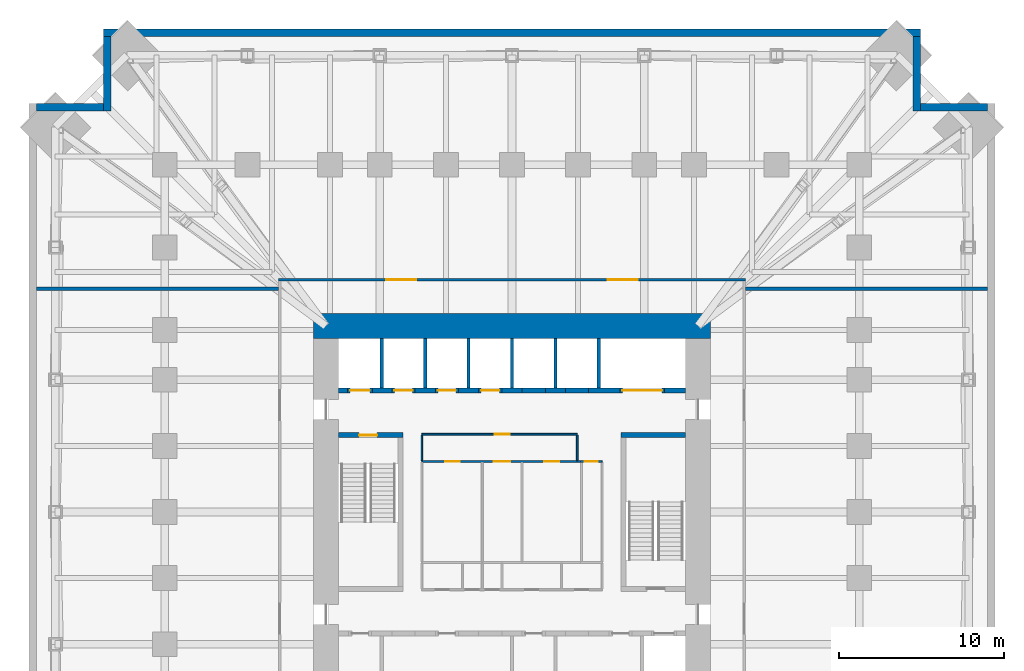
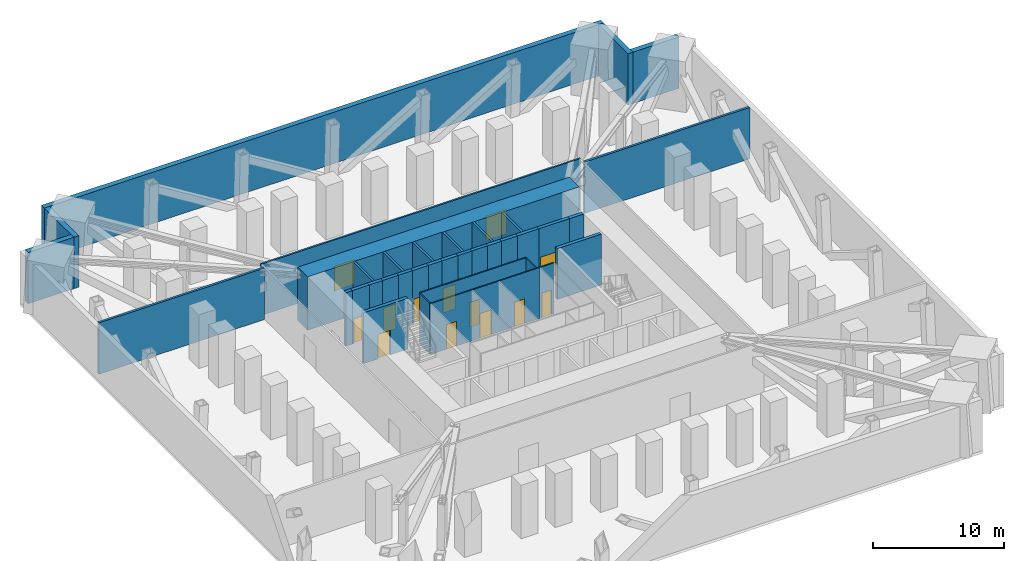
# One storey, part 7 of 9: 37 walls, 13 doors, 13 openings.
"""IFC4 building model written with IfcOpenShell, lengths in metres."""

from ifc_helpers import new_model, si_unit, direction, frame, frame_2d, origin, place, context, subcontext, project, spatial, rectangle, extrude, material, layer, layer_set, type_object, element, fill, save


model = new_model("IFC4")

# Units and contexts
model_context = context("Model", 3, precision=1e-05, world=origin(), true_north=direction((0.0, 1.0)))
body_context = subcontext(model_context, "Body", "Model", "MODEL_VIEW")
ifc_project = project(units=[si_unit("LENGTHUNIT", "METRE"), si_unit("AREAUNIT", "SQUARE_METRE"), si_unit("VOLUMEUNIT", "CUBIC_METRE"), si_unit("PLANEANGLEUNIT", "RADIAN"), si_unit("MASSUNIT", "GRAM", prefix="KILO")], contexts=[model_context])

# Site, building, storey
site_placement = place(None, origin())
site = spatial("IfcSite", under=ifc_project, at=site_placement, CompositionType="ELEMENT")
building_placement = place(site_placement, origin())
building = spatial("IfcBuilding", under=site, at=building_placement, Name="Peilmerk Tower", CompositionType="ELEMENT")
storey_placement = place(building_placement, frame((0.0, 0.0, 81.0)))
storey = spatial("IfcBuildingStorey", under=building, at=storey_placement, Name="L15", CompositionType="ELEMENT", Elevation=81.0)

# Walls
ifc_material_1 = material(Name="Precast concrete C45/55, board-marked finish", Category="concrete")
ifc_layer_1 = layer(ifc_material_1, 0.449951171875)
ifc_layer_set_1 = layer_set([ifc_layer_1], Name="Precast concrete C45/55, board-marked finish")
wall_type_1 = type_object("IfcWallType", Name="EW1 450 precast concrete facade wall, board-marked", PredefinedType="SOLIDWALL", material=ifc_layer_set_1)
wall_1_placement = place(storey_placement, frame((24.699951171875, 28.97509765625, 0.0), z_axis=(0.0, 0.0, 1.0), x_axis=(-1.0, 0.0, 0.0)))
element("IfcWall", 1, at=wall_1_placement, inside=storey, type_object=wall_type_1, Name="Facade wall N L15", PredefinedType="SOLIDWALL", context=body_context, shape_type="SweptSolid", body=[
    extrude(rectangle(XDim=49.39990234375, YDim=0.449951171875, at=frame_2d((24.699951171875, 0.0))), origin(), (0.0, 0.0, 1.0), 4.800048828125),
])
wall_2_placement = place(storey_placement, frame((24.47509765625, 24.25, 0.0), z_axis=(0.0, 0.0, 1.0), x_axis=(0.0, 1.0, 0.0)))
element("IfcWall", 2, at=wall_2_placement, inside=storey, type_object=wall_type_1, Name="Facade wall NEA L15", PredefinedType="SOLIDWALL", context=body_context, shape_type="SweptSolid", body=[
    extrude(rectangle(XDim=4.5, YDim=0.449951171875, at=frame_2d((2.25, 0.0))), origin(), (0.0, 0.0, 1.0), 4.800048828125),
])
wall_3_placement = place(storey_placement, frame((24.699951171875, 24.47509765625, 0.0), z_axis=(0.0, 0.0, 1.0), x_axis=(1.0, 0.0, 0.0)))
element("IfcWall", 3, at=wall_3_placement, inside=storey, type_object=wall_type_1, Name="Facade wall NEB L15", PredefinedType="SOLIDWALL", context=body_context, shape_type="SweptSolid", body=[
    extrude(rectangle(XDim=4.050048828125, YDim=0.449951171875, at=frame_2d((2.02490234375, 0.0))), origin(), (0.0, 0.0, 1.0), 4.800048828125),
])
wall_4_placement = place(storey_placement, frame((-24.47509765625, 24.25, 0.0), z_axis=(0.0, 0.0, 1.0), x_axis=(0.0, 1.0, 0.0)))
element("IfcWall", 4, at=wall_4_placement, inside=storey, type_object=wall_type_1, Name="Facade wall NWA L15", PredefinedType="SOLIDWALL", context=body_context, shape_type="SweptSolid", body=[
    extrude(rectangle(XDim=4.5, YDim=0.449951171875, at=frame_2d((2.25, 0.0))), origin(), (0.0, 0.0, 1.0), 4.800048828125),
])
wall_5_placement = place(storey_placement, frame((-24.699951171875, 24.47509765625, 0.0), z_axis=(0.0, 0.0, 1.0), x_axis=(-1.0, 0.0, 0.0)))
element("IfcWall", 5, at=wall_5_placement, inside=storey, type_object=wall_type_1, Name="Facade wall NWB L15", PredefinedType="SOLIDWALL", context=body_context, shape_type="SweptSolid", body=[
    extrude(rectangle(XDim=4.050048828125, YDim=0.449951171875, at=frame_2d((2.02490234375, 0.0))), origin(), (0.0, 0.0, 1.0), 4.800048828125),
])

# Wall, openings, doors
ifc_material_2 = material(Name="Calcium silicate block", Category="masonry")
ifc_layer_2 = layer(ifc_material_2, 0.14990234375)
ifc_layer_set_2 = layer_set([ifc_layer_2], Name="Calcium silicate block")
wall_type_2 = type_object("IfcWallType", Name="IW1 150 corridor partition, EI 60", PredefinedType="PARTITIONING", material=ifc_layer_set_2)
wall_6_placement = place(storey_placement, frame((-14.125, 14.050048828125, 0.0), z_axis=(0.0, 0.0, 1.0), x_axis=(1.0, 0.0, 0.0)))
wall_6 = element("IfcWall", 6, at=wall_6_placement, inside=storey, type_object=wall_type_2, Name="Corridor wall N L15", PredefinedType="PARTITIONING", context=body_context, shape_type="SweptSolid", body=[
    extrude(rectangle(XDim=28.25, YDim=0.14990234375, at=frame_2d((14.125, 0.0))), origin(), (0.0, 0.0, 1.0), 4.800048828125),
])
opening_1_placement = place(wall_6_placement, frame((6.52490234375, 0.0, 0.0)))
opening_1 = element("IfcOpeningElement", 7, at=opening_1_placement, cuts=wall_6, Name="Opening D2", PredefinedType="OPENING", context=body_context, shape_type="SweptSolid", body=[
    extrude(rectangle(XDim=1.800048828125, YDim=2.300048828125, at=frame_2d((0.89990234375, 1.14990234375))), frame((0.0, 0.0849609375, 0.0), z_axis=(0.0, -1.0, 0.0), x_axis=(1.0, 0.0, 0.0)), (0.0, 0.0, 1.0), 0.169921875),
])
opening_2_placement = place(wall_6_placement, frame((19.925048828125, 0.0, 0.0)))
opening_2 = element("IfcOpeningElement", 8, at=opening_2_placement, cuts=wall_6, Name="Opening D2", PredefinedType="OPENING", context=body_context, shape_type="SweptSolid", body=[
    extrude(rectangle(XDim=1.800048828125, YDim=2.300048828125, at=frame_2d((0.89990234375, 1.14990234375))), frame((0.0, 0.0849609375, 0.0), z_axis=(0.0, -1.0, 0.0), x_axis=(1.0, 0.0, 0.0)), (0.0, 0.0, 1.0), 0.169921875),
])
ifc_material_3 = material(Name="Steel door in steel frame", Category="steel")
door_type_1 = type_object("IfcDoorType", Name="D2 1800x2300 double door, EI2 60", OperationType="DOUBLE_DOOR_DOUBLE_SWING", PredefinedType="DOOR", material=ifc_material_3)
door_1_placement = place(opening_1_placement, origin())
door_1 = element("IfcDoor", 9, at=door_1_placement, inside=storey, type_object=door_type_1, Name="Door Chiller plant room L15", OperationType="DOUBLE_DOOR_DOUBLE_SWING", OverallHeight=2.300048828125, OverallWidth=1.800048828125, PredefinedType="DOOR", context=body_context, shape_type="SweptSolid", body=[
    extrude(rectangle(XDim=1.800048828125, YDim=2.300048828125, at=frame_2d((0.89990234375, 1.14990234375))), frame((0.0, 0.02490234375, 0.0), z_axis=(0.0, -1.0, 0.0), x_axis=(1.0, 0.0, 0.0)), (0.0, 0.0, 1.0), 0.050048828125),
])
fill(opening_1, door_1)
door_2_placement = place(opening_2_placement, origin())
door_2 = element("IfcDoor", 10, at=door_2_placement, inside=storey, type_object=door_type_1, Name="Door Chiller plant room L15", OperationType="DOUBLE_DOOR_DOUBLE_SWING", OverallHeight=2.300048828125, OverallWidth=1.800048828125, PredefinedType="DOOR", context=body_context, shape_type="SweptSolid", body=[
    extrude(rectangle(XDim=1.800048828125, YDim=2.300048828125, at=frame_2d((0.89990234375, 1.14990234375))), frame((0.0, 0.02490234375, 0.0), z_axis=(0.0, -1.0, 0.0), x_axis=(1.0, 0.0, 0.0)), (0.0, 0.0, 1.0), 0.050048828125),
])
fill(opening_2, door_2)

# Walls
ifc_layer_3 = layer(ifc_material_2, 0.199951171875)
ifc_layer_set_3 = layer_set([ifc_layer_3], Name="Calcium silicate block")
wall_type_3 = type_object("IfcWallType", Name="IW2 200 room separating wall, EI 120", PredefinedType="PARTITIONING", material=ifc_layer_set_3)
for number, where, z_axis, x_axis, name in (
    (11, (14.125, 13.5, 0.0), (0.0, 0.0, 1.0), (1.0, 0.0, 0.0), "Room separating wall NE L15"),
    (12, (-28.75, 13.5, 0.0), (0.0, 0.0, 1.0), (1.0, 0.0, 0.0), "Room separating wall NW L15"),
):
    element("IfcWall", number, at=place(storey_placement, frame(where, z_axis=z_axis, x_axis=x_axis)), inside=storey, type_object=wall_type_3, Name=name, PredefinedType="PARTITIONING", context=body_context, shape_type="SweptSolid", body=[
        extrude(rectangle(XDim=14.625, YDim=0.199951171875, at=frame_2d((7.3125, 0.0))), origin(), (0.0, 0.0, 1.0), 4.800048828125),
    ])

# Wall, opening, door
ifc_material_4 = material(Name="Concrete C35/45", Category="concrete")
ifc_layer_4 = layer(ifc_material_4, 0.300048828125)
ifc_layer_set_4 = layer_set([ifc_layer_4], Name="Concrete C35/45")
wall_type_4 = type_object("IfcWallType", Name="IW3 300 concrete stair enclosure wall, EI 120", PredefinedType="SOLIDWALL", material=ifc_layer_set_4)
wall_7_placement = place(storey_placement, frame((-10.5, 4.64990234375, 0.0), z_axis=(0.0, 0.0, 1.0), x_axis=(1.0, 0.0, 0.0)))
wall_7 = element("IfcWall", 13, at=wall_7_placement, inside=storey, type_object=wall_type_4, Name="Stair 1 enclosure L15", PredefinedType="SOLIDWALL", context=body_context, shape_type="SweptSolid", body=[
    extrude(rectangle(XDim=3.89990234375, YDim=0.300048828125, at=frame_2d((1.949951171875, 0.0))), origin(), (0.0, 0.0, 1.0), 4.75),
])
opening_3_placement = place(wall_7_placement, frame((1.25, 0.0, 0.0)))
opening_3 = element("IfcOpeningElement", 14, at=opening_3_placement, cuts=wall_7, Name="Opening D4", PredefinedType="OPENING", context=body_context, shape_type="SweptSolid", body=[
    extrude(rectangle(XDim=1.10009765625, YDim=2.300048828125, at=frame_2d((0.550048828125, 1.14990234375))), frame((0.0, 0.159912109375, 0.0), z_axis=(0.0, -1.0, 0.0), x_axis=(1.0, 0.0, 0.0)), (0.0, 0.0, 1.0), 0.320068359375),
])
door_type_2 = type_object("IfcDoorType", Name="D4 1100x2300 stair door, EI2 60", OperationType="SINGLE_SWING_RIGHT", PredefinedType="DOOR", material=ifc_material_3)
door_3_placement = place(opening_3_placement, frame((1.10009765625, 0.0, 0.0), z_axis=(0.0, 0.0, 1.0), x_axis=(-1.0, 0.0, 0.0)))
door_3 = element("IfcDoor", 15, at=door_3_placement, inside=storey, type_object=door_type_2, Name="Stair 1 door L15", OperationType="SINGLE_SWING_RIGHT", OverallHeight=2.300048828125, OverallWidth=1.10009765625, PredefinedType="DOOR", context=body_context, shape_type="SweptSolid", body=[
    extrude(rectangle(XDim=1.10009765625, YDim=2.300048828125, at=frame_2d((0.550048828125, 1.14990234375))), frame((0.0, 0.02490234375, 0.0), z_axis=(0.0, -1.0, 0.0), x_axis=(1.0, 0.0, 0.0)), (0.0, 0.0, 1.0), 0.050048828125),
])
fill(opening_3, door_3)

# Wall
wall_8_placement = place(storey_placement, frame((6.60009765625, 4.64990234375, 0.0), z_axis=(0.0, 0.0, 1.0), x_axis=(1.0, 0.0, 0.0)))
element("IfcWall", 16, at=wall_8_placement, inside=storey, type_object=wall_type_4, Name="Stair 2 enclosure L15", PredefinedType="SOLIDWALL", context=body_context, shape_type="SweptSolid", body=[
    extrude(rectangle(XDim=3.89990234375, YDim=0.300048828125, at=frame_2d((1.949951171875, 0.0))), origin(), (0.0, 0.0, 1.0), 4.75),
])

# Wall, openings, doors
ifc_material_5 = material(Name="Plasterboard on steel studs", Category="steel")
ifc_layer_5 = layer(ifc_material_5, 0.10009765625)
ifc_layer_set_5 = layer_set([ifc_layer_5], Name="Plasterboard on steel studs")
wall_type_5 = type_object("IfcWallType", Name="IW4 100 WC partition", PredefinedType="PARTITIONING", material=ifc_layer_set_5)
wall_9_placement = place(storey_placement, frame((-5.449951171875, 3.050048828125, 0.0), z_axis=(0.0, 0.0, 1.0), x_axis=(1.0, 0.0, 0.0)))
wall_9 = element("IfcWall", 17, at=wall_9_placement, inside=storey, type_object=wall_type_5, Name="WC wall L15", PredefinedType="PARTITIONING", context=body_context, shape_type="SweptSolid", body=[
    extrude(rectangle(XDim=9.599853515625, YDim=0.10009765625, at=frame_2d((4.7998046875, 0.0))), origin(), (0.0, 0.0, 1.0), 4.75),
])
opening_4_placement = place(wall_9_placement, frame((1.39990234375, 0.0, 0.0)))
opening_4 = element("IfcOpeningElement", 18, at=opening_4_placement, cuts=wall_9, Name="Opening D5", PredefinedType="OPENING", context=body_context, shape_type="SweptSolid", body=[
    extrude(rectangle(XDim=0.89990234375, YDim=2.300048828125, at=frame_2d((0.449951171875, 1.14990234375))), frame((0.0, 0.06005859375, 0.0), z_axis=(0.0, -1.0, 0.0), x_axis=(1.0, 0.0, 0.0)), (0.0, 0.0, 1.0), 0.1201171875),
])
opening_5_placement = place(wall_9_placement, frame((4.35009765625, 0.0, 0.0)))
opening_5 = element("IfcOpeningElement", 19, at=opening_5_placement, cuts=wall_9, Name="Opening D6", PredefinedType="OPENING", context=body_context, shape_type="SweptSolid", body=[
    extrude(rectangle(XDim=1.0, YDim=2.300048828125, at=frame_2d((0.5, 1.14990234375))), frame((0.0, 0.06005859375, 0.0), z_axis=(0.0, -1.0, 0.0), x_axis=(1.0, 0.0, 0.0)), (0.0, 0.0, 1.0), 0.1201171875),
])
opening_6_placement = place(wall_9_placement, frame((7.39990234375, 0.0, 0.0)))
opening_6 = element("IfcOpeningElement", 20, at=opening_6_placement, cuts=wall_9, Name="Opening D5", PredefinedType="OPENING", context=body_context, shape_type="SweptSolid", body=[
    extrude(rectangle(XDim=0.89990234375, YDim=2.300048828125, at=frame_2d((0.449951171875, 1.14990234375))), frame((0.0, 0.06005859375, 0.0), z_axis=(0.0, -1.0, 0.0), x_axis=(1.0, 0.0, 0.0)), (0.0, 0.0, 1.0), 0.1201171875),
])
ifc_material_6 = material(Name="Timber door in steel frame", Category="steel")
door_type_3 = type_object("IfcDoorType", Name="D5 900x2300 WC door", OperationType="SINGLE_SWING_LEFT", PredefinedType="DOOR", material=ifc_material_6)
door_4_placement = place(opening_4_placement, frame((0.89990234375, 0.0, 0.0), z_axis=(0.0, 0.0, 1.0), x_axis=(-1.0, 0.0, 0.0)))
door_4 = element("IfcDoor", 21, at=door_4_placement, inside=storey, type_object=door_type_3, Name="Female toilets door L15", OperationType="SINGLE_SWING_LEFT", OverallHeight=2.300048828125, OverallWidth=0.89990234375, PredefinedType="DOOR", context=body_context, shape_type="SweptSolid", body=[
    extrude(rectangle(XDim=0.89990234375, YDim=2.300048828125, at=frame_2d((0.449951171875, 1.14990234375))), frame((0.0, 0.02490234375, 0.0), z_axis=(0.0, -1.0, 0.0), x_axis=(1.0, 0.0, 0.0)), (0.0, 0.0, 1.0), 0.050048828125),
])
fill(opening_4, door_4)
door_5_placement = place(opening_6_placement, frame((0.89990234375, 0.0, 0.0), z_axis=(0.0, 0.0, 1.0), x_axis=(-1.0, 0.0, 0.0)))
door_5 = element("IfcDoor", 22, at=door_5_placement, inside=storey, type_object=door_type_3, Name="Male toilets door L15", OperationType="SINGLE_SWING_LEFT", OverallHeight=2.300048828125, OverallWidth=0.89990234375, PredefinedType="DOOR", context=body_context, shape_type="SweptSolid", body=[
    extrude(rectangle(XDim=0.89990234375, YDim=2.300048828125, at=frame_2d((0.449951171875, 1.14990234375))), frame((0.0, 0.02490234375, 0.0), z_axis=(0.0, -1.0, 0.0), x_axis=(1.0, 0.0, 0.0)), (0.0, 0.0, 1.0), 0.050048828125),
])
fill(opening_6, door_5)
door_type_4 = type_object("IfcDoorType", Name="D6 1000x2300 accessible WC door", OperationType="SLIDING_TO_LEFT", PredefinedType="DOOR", material=ifc_material_6)
door_6_placement = place(opening_5_placement, frame((1.0, 0.0, 0.0), z_axis=(0.0, 0.0, 1.0), x_axis=(-1.0, 0.0, 0.0)))
door_6 = element("IfcDoor", 23, at=door_6_placement, inside=storey, type_object=door_type_4, Name="Accessible WC door L15", OperationType="SLIDING_TO_LEFT", OverallHeight=2.300048828125, OverallWidth=1.0, PredefinedType="DOOR", context=body_context, shape_type="SweptSolid", body=[
    extrude(rectangle(XDim=1.0, YDim=2.300048828125, at=frame_2d((0.5, 1.14990234375))), frame((0.0, 0.02490234375, 0.0), z_axis=(0.0, -1.0, 0.0), x_axis=(1.0, 0.0, 0.0)), (0.0, 0.0, 1.0), 0.050048828125),
])
fill(opening_5, door_6)

# Wall, opening, door
ifc_material_7 = material(Name="Calcium silicate board on steel studs", Category="steel")
ifc_layer_6 = layer(ifc_material_7, 0.10009765625)
ifc_layer_set_6 = layer_set([ifc_layer_6], Name="Calcium silicate board on steel studs")
wall_type_6 = type_object("IfcWallType", Name="IW5 100 riser enclosure wall, EI 60", PredefinedType="PARTITIONING", material=ifc_layer_set_6)
wall_10_placement = place(storey_placement, frame((4.14990234375, 3.050048828125, 0.0), z_axis=(0.0, 0.0, 1.0), x_axis=(1.0, 0.0, 0.0)))
wall_10 = element("IfcWall", 24, at=wall_10_placement, inside=storey, type_object=wall_type_6, Name="Riser wall L15", PredefinedType="PARTITIONING", context=body_context, shape_type="SweptSolid", body=[
    extrude(rectangle(XDim=1.300048828125, YDim=0.10009765625, at=frame_2d((0.64990234375, 0.0))), origin(), (0.0, 0.0, 1.0), 4.75),
])
opening_7_placement = place(wall_10_placement, frame((0.25, 0.0, 0.0)))
opening_7 = element("IfcOpeningElement", 25, at=opening_7_placement, cuts=wall_10, Name="Opening D7", PredefinedType="OPENING", context=body_context, shape_type="SweptSolid", body=[
    extrude(rectangle(XDim=0.800048828125, YDim=2.300048828125, at=frame_2d((0.39990234375, 1.14990234375))), frame((0.0, 0.06005859375, 0.0), z_axis=(0.0, -1.0, 0.0), x_axis=(1.0, 0.0, 0.0)), (0.0, 0.0, 1.0), 0.1201171875),
])
door_type_5 = type_object("IfcDoorType", Name="D7 800x2300 riser access door, EI2 60", OperationType="SINGLE_SWING_RIGHT", PredefinedType="DOOR", material=ifc_material_3)
door_7_placement = place(opening_7_placement, frame((0.800048828125, 0.0, 0.0), z_axis=(0.0, 0.0, 1.0), x_axis=(-1.0, 0.0, 0.0)))
door_7 = element("IfcDoor", 26, at=door_7_placement, inside=storey, type_object=door_type_5, Name="Plumbing riser door L15", OperationType="SINGLE_SWING_RIGHT", OverallHeight=2.300048828125, OverallWidth=0.800048828125, PredefinedType="DOOR", context=body_context, shape_type="SweptSolid", body=[
    extrude(rectangle(XDim=0.800048828125, YDim=2.300048828125, at=frame_2d((0.39990234375, 1.14990234375))), frame((0.0, 0.02490234375, 0.0), z_axis=(0.0, -1.0, 0.0), x_axis=(1.0, 0.0, 0.0)), (0.0, 0.0, 1.0), 0.050048828125),
])
fill(opening_7, door_7)

ifc_material_8 = material(Name="Fire-resisting plasterboard on steel studs", Category="steel")
ifc_layer_7 = layer(ifc_material_8, 0.10009765625)
ifc_layer_set_7 = layer_set([ifc_layer_7], Name="Fire-resisting plasterboard on steel studs")
wall_type_7 = type_object("IfcWallType", Name="IW9 100 WC lobby wall, EI 30", PredefinedType="PARTITIONING", material=ifc_layer_set_7)
wall_11_placement = place(storey_placement, frame((-5.449951171875, 4.699951171875, 0.0), z_axis=(0.0, 0.0, 1.0), x_axis=(1.0, 0.0, 0.0)))
wall_11 = element("IfcWall", 27, at=wall_11_placement, inside=storey, type_object=wall_type_7, Name="WC lobby wall L15", PredefinedType="PARTITIONING", context=body_context, shape_type="SweptSolid", body=[
    extrude(rectangle(XDim=9.39990234375, YDim=0.10009765625, at=frame_2d((4.699951171875, 0.0))), origin(), (0.0, 0.0, 1.0), 4.75),
])
opening_8_placement = place(wall_11_placement, frame((4.39990234375, 0.0, 0.0)))
opening_8 = element("IfcOpeningElement", 28, at=opening_8_placement, cuts=wall_11, Name="Opening D11", PredefinedType="OPENING", context=body_context, shape_type="SweptSolid", body=[
    extrude(rectangle(XDim=0.89990234375, YDim=2.300048828125, at=frame_2d((0.449951171875, 1.14990234375))), frame((0.0, 0.06005859375, 0.0), z_axis=(0.0, -1.0, 0.0), x_axis=(1.0, 0.0, 0.0)), (0.0, 0.0, 1.0), 0.1201171875),
])
door_type_6 = type_object("IfcDoorType", Name="D11 900x2300 WC lobby door, EI2 30", OperationType="SINGLE_SWING_LEFT", PredefinedType="DOOR", material=ifc_material_6)
door_8_placement = place(opening_8_placement, frame((0.89990234375, 0.0, 0.0), z_axis=(0.0, 0.0, 1.0), x_axis=(-1.0, 0.0, 0.0)))
door_8 = element("IfcDoor", 29, at=door_8_placement, inside=storey, type_object=door_type_6, Name="WC lobby door L15", OperationType="SINGLE_SWING_LEFT", OverallHeight=2.300048828125, OverallWidth=0.89990234375, PredefinedType="DOOR", context=body_context, shape_type="SweptSolid", body=[
    extrude(rectangle(XDim=0.89990234375, YDim=2.300048828125, at=frame_2d((0.449951171875, 1.14990234375))), frame((0.0, 0.02490234375, 0.0), z_axis=(0.0, -1.0, 0.0), x_axis=(1.0, 0.0, 0.0)), (0.0, 0.0, 1.0), 0.050048828125),
])
fill(opening_8, door_8)

# Walls
for number, where, z_axis, x_axis, name in (
    (30, (-5.449951171875, 3.10009765625, 0.0), (0.0, 0.0, 1.0), (0.0, 1.0, 0.0), "WC lobby wall L15"),
    (31, (3.949951171875, 3.10009765625, 0.0), (0.0, 0.0, 1.0), (0.0, 1.0, 0.0), "WC lobby wall L15"),
):
    element("IfcWall", number, at=place(storey_placement, frame(where, z_axis=z_axis, x_axis=x_axis)), inside=storey, type_object=wall_type_7, Name=name, PredefinedType="PARTITIONING", context=body_context, shape_type="SweptSolid", body=[
        extrude(rectangle(XDim=1.5498046875, YDim=0.10009765625, at=frame_2d((0.77490234375, 0.0))), origin(), (0.0, 0.0, 1.0), 4.75),
    ])
ifc_layer_8 = layer(ifc_material_2, 0.199951171875)
ifc_layer_set_8 = layer_set([ifc_layer_8], Name="Calcium silicate block")
wall_type_8 = type_object("IfcWallType", Name="SH1 200 shaft dividing wall, EI 120", PredefinedType="PARTITIONING", material=ifc_layer_set_8)
for number, where, z_axis, x_axis, name in (
    (32, (-7.875, 7.5, 0.0), (0.0, 0.0, 1.0), (0.0, 1.0, 0.0), "Shaft wall N FL1 L15"),
    (33, (-5.25, 7.5, 0.0), (0.0, 0.0, 1.0), (0.0, 1.0, 0.0), "Shaft wall N A1 L15"),
    (34, (-2.625, 7.5, 0.0), (0.0, 0.0, 1.0), (0.0, 1.0, 0.0), "Shaft wall N A2 L15"),
    (35, (0.0, 7.5, 0.0), (0.0, 0.0, 1.0), (0.0, 1.0, 0.0), "Shaft wall N A3 L15"),
    (36, (2.625, 7.5, 0.0), (0.0, 0.0, 1.0), (0.0, 1.0, 0.0), "Shaft wall N S1 L15"),
    (37, (5.25, 7.5, 0.0), (0.0, 0.0, 1.0), (0.0, 1.0, 0.0), "Shaft wall N S2 L15"),
):
    element("IfcWall", number, at=place(storey_placement, frame(where, z_axis=z_axis, x_axis=x_axis)), inside=storey, type_object=wall_type_8, Name=name, PredefinedType="PARTITIONING", context=body_context, shape_type="SweptSolid", body=[
        extrude(rectangle(XDim=3.0, YDim=0.199951171875, at=frame_2d((1.5, 0.0))), origin(), (0.0, 0.0, 1.0), 5.0),
    ])

# Wall, opening, door
ifc_layer_9 = layer(ifc_material_2, 0.300048828125)
ifc_layer_set_9 = layer_set([ifc_layer_9], Name="Calcium silicate block")
wall_type_9 = type_object("IfcWallType", Name="SH2 300 lift landing door panel, EI 120", PredefinedType="PARTITIONING", material=ifc_layer_set_9)
wall_12_placement = place(storey_placement, frame((-9.9375, 7.35009765625, 0.0), z_axis=(0.0, 0.0, 1.0), x_axis=(1.0, 0.0, 0.0)))
wall_12 = element("IfcWall", 38, at=wall_12_placement, inside=storey, type_object=wall_type_9, Name="Lift door panel N FL1 L15", PredefinedType="PARTITIONING", context=body_context, shape_type="SweptSolid", body=[
    extrude(rectangle(XDim=1.5, YDim=0.300048828125, at=frame_2d((0.75, 0.0))), origin(), (0.0, 0.0, 1.0), 5.0),
])
opening_9_placement = place(wall_12_placement, frame((0.14990234375, 0.0, 0.0)))
opening_9 = element("IfcOpeningElement", 39, at=opening_9_placement, cuts=wall_12, Name="Opening LD2", PredefinedType="OPENING", context=body_context, shape_type="SweptSolid", body=[
    extrude(rectangle(XDim=1.199951171875, YDim=2.300048828125, at=frame_2d((0.60009765625, 1.14990234375))), frame((0.0, 0.159912109375, 0.0), z_axis=(0.0, -1.0, 0.0), x_axis=(1.0, 0.0, 0.0)), (0.0, 0.0, 1.0), 0.320068359375),
])
ifc_material_9 = material(Name="Stainless steel landing door", Category="steel")
door_type_7 = type_object("IfcDoorType", Name="LD2 1200x2300 lift landing door, sliding, EI2 60", OperationType="SLIDING_TO_LEFT", PredefinedType="DOOR", material=ifc_material_9)
door_9_placement = place(opening_9_placement, frame((1.199951171875, 0.0, 0.0), z_axis=(0.0, 0.0, 1.0), x_axis=(-1.0, 0.0, 0.0)))
door_9 = element("IfcDoor", 40, at=door_9_placement, inside=storey, type_object=door_type_7, Name="Lift landing door FL1 L15", OperationType="SLIDING_TO_LEFT", OverallHeight=2.300048828125, OverallWidth=1.199951171875, PredefinedType="DOOR", context=body_context, shape_type="SweptSolid", body=[
    extrude(rectangle(XDim=1.199951171875, YDim=2.300048828125, at=frame_2d((0.60009765625, 1.14990234375))), frame((0.0, 0.02490234375, 0.0), z_axis=(0.0, -1.0, 0.0), x_axis=(1.0, 0.0, 0.0)), (0.0, 0.0, 1.0), 0.050048828125),
])
fill(opening_9, door_9)

wall_13_placement = place(storey_placement, frame((-7.262451171875, 7.35009765625, 0.0), z_axis=(0.0, 0.0, 1.0), x_axis=(1.0, 0.0, 0.0)))
wall_13 = element("IfcWall", 41, at=wall_13_placement, inside=storey, type_object=wall_type_9, Name="Lift door panel N A1 L15", PredefinedType="PARTITIONING", context=body_context, shape_type="SweptSolid", body=[
    extrude(rectangle(XDim=1.39990234375, YDim=0.300048828125, at=frame_2d((0.699951171875, 0.0))), origin(), (0.0, 0.0, 1.0), 5.0),
])
opening_10_placement = place(wall_13_placement, frame((0.14990234375, 0.0, 0.0)))
opening_10 = element("IfcOpeningElement", 42, at=opening_10_placement, cuts=wall_13, Name="Opening LD1", PredefinedType="OPENING", context=body_context, shape_type="SweptSolid", body=[
    extrude(rectangle(XDim=1.10009765625, YDim=2.300048828125, at=frame_2d((0.550048828125, 1.14990234375))), frame((0.0, 0.159912109375, 0.0), z_axis=(0.0, -1.0, 0.0), x_axis=(1.0, 0.0, 0.0)), (0.0, 0.0, 1.0), 0.320068359375),
])
door_type_8 = type_object("IfcDoorType", Name="LD1 1100x2300 lift landing door, sliding, EI2 60", OperationType="SLIDING_TO_LEFT", PredefinedType="DOOR", material=ifc_material_9)
door_10_placement = place(opening_10_placement, frame((1.10009765625, 0.0, 0.0), z_axis=(0.0, 0.0, 1.0), x_axis=(-1.0, 0.0, 0.0)))
door_10 = element("IfcDoor", 43, at=door_10_placement, inside=storey, type_object=door_type_8, Name="Lift landing door A1 L15", OperationType="SLIDING_TO_LEFT", OverallHeight=2.300048828125, OverallWidth=1.10009765625, PredefinedType="DOOR", context=body_context, shape_type="SweptSolid", body=[
    extrude(rectangle(XDim=1.10009765625, YDim=2.300048828125, at=frame_2d((0.550048828125, 1.14990234375))), frame((0.0, 0.02490234375, 0.0), z_axis=(0.0, -1.0, 0.0), x_axis=(1.0, 0.0, 0.0)), (0.0, 0.0, 1.0), 0.050048828125),
])
fill(opening_10, door_10)

wall_14_placement = place(storey_placement, frame((-4.637451171875, 7.35009765625, 0.0), z_axis=(0.0, 0.0, 1.0), x_axis=(1.0, 0.0, 0.0)))
wall_14 = element("IfcWall", 44, at=wall_14_placement, inside=storey, type_object=wall_type_9, Name="Lift door panel N A2 L15", PredefinedType="PARTITIONING", context=body_context, shape_type="SweptSolid", body=[
    extrude(rectangle(XDim=1.39990234375, YDim=0.300048828125, at=frame_2d((0.699951171875, 0.0))), origin(), (0.0, 0.0, 1.0), 5.0),
])
opening_11_placement = place(wall_14_placement, frame((0.14990234375, 0.0, 0.0)))
opening_11 = element("IfcOpeningElement", 45, at=opening_11_placement, cuts=wall_14, Name="Opening LD1", PredefinedType="OPENING", context=body_context, shape_type="SweptSolid", body=[
    extrude(rectangle(XDim=1.10009765625, YDim=2.300048828125, at=frame_2d((0.550048828125, 1.14990234375))), frame((0.0, 0.159912109375, 0.0), z_axis=(0.0, -1.0, 0.0), x_axis=(1.0, 0.0, 0.0)), (0.0, 0.0, 1.0), 0.320068359375),
])
door_11_placement = place(opening_11_placement, frame((1.10009765625, 0.0, 0.0), z_axis=(0.0, 0.0, 1.0), x_axis=(-1.0, 0.0, 0.0)))
door_11 = element("IfcDoor", 46, at=door_11_placement, inside=storey, type_object=door_type_8, Name="Lift landing door A2 L15", OperationType="SLIDING_TO_LEFT", OverallHeight=2.300048828125, OverallWidth=1.10009765625, PredefinedType="DOOR", context=body_context, shape_type="SweptSolid", body=[
    extrude(rectangle(XDim=1.10009765625, YDim=2.300048828125, at=frame_2d((0.550048828125, 1.14990234375))), frame((0.0, 0.02490234375, 0.0), z_axis=(0.0, -1.0, 0.0), x_axis=(1.0, 0.0, 0.0)), (0.0, 0.0, 1.0), 0.050048828125),
])
fill(opening_11, door_11)

wall_15_placement = place(storey_placement, frame((-2.012451171875, 7.35009765625, 0.0), z_axis=(0.0, 0.0, 1.0), x_axis=(1.0, 0.0, 0.0)))
wall_15 = element("IfcWall", 47, at=wall_15_placement, inside=storey, type_object=wall_type_9, Name="Lift door panel N A3 L15", PredefinedType="PARTITIONING", context=body_context, shape_type="SweptSolid", body=[
    extrude(rectangle(XDim=1.39990234375, YDim=0.300048828125, at=frame_2d((0.699951171875, 0.0))), origin(), (0.0, 0.0, 1.0), 5.0),
])
opening_12_placement = place(wall_15_placement, frame((0.14990234375, 0.0, 0.0)))
opening_12 = element("IfcOpeningElement", 48, at=opening_12_placement, cuts=wall_15, Name="Opening LD1", PredefinedType="OPENING", context=body_context, shape_type="SweptSolid", body=[
    extrude(rectangle(XDim=1.10009765625, YDim=2.300048828125, at=frame_2d((0.550048828125, 1.14990234375))), frame((0.0, 0.159912109375, 0.0), z_axis=(0.0, -1.0, 0.0), x_axis=(1.0, 0.0, 0.0)), (0.0, 0.0, 1.0), 0.320068359375),
])
door_12_placement = place(opening_12_placement, frame((1.10009765625, 0.0, 0.0), z_axis=(0.0, 0.0, 1.0), x_axis=(-1.0, 0.0, 0.0)))
door_12 = element("IfcDoor", 49, at=door_12_placement, inside=storey, type_object=door_type_8, Name="Lift landing door A3 L15", OperationType="SLIDING_TO_LEFT", OverallHeight=2.300048828125, OverallWidth=1.10009765625, PredefinedType="DOOR", context=body_context, shape_type="SweptSolid", body=[
    extrude(rectangle(XDim=1.10009765625, YDim=2.300048828125, at=frame_2d((0.550048828125, 1.14990234375))), frame((0.0, 0.02490234375, 0.0), z_axis=(0.0, -1.0, 0.0), x_axis=(1.0, 0.0, 0.0)), (0.0, 0.0, 1.0), 0.050048828125),
])
fill(opening_12, door_12)

# Walls
for number, where, z_axis, x_axis, name in (
    (50, (0.612548828125, 7.35009765625, 0.0), (0.0, 0.0, 1.0), (1.0, 0.0, 0.0), "Lift door panel N S1 L15"),
    (51, (3.237548828125, 7.35009765625, 0.0), (0.0, 0.0, 1.0), (1.0, 0.0, 0.0), "Lift door panel N S2 L15"),
):
    element("IfcWall", number, at=place(storey_placement, frame(where, z_axis=z_axis, x_axis=x_axis)), inside=storey, type_object=wall_type_9, Name=name, PredefinedType="PARTITIONING", context=body_context, shape_type="SweptSolid", body=[
        extrude(rectangle(XDim=1.39990234375, YDim=0.300048828125, at=frame_2d((0.699951171875, 0.0))), origin(), (0.0, 0.0, 1.0), 5.0),
    ])

# Wall, opening, door
wall_16_placement = place(storey_placement, frame((6.52490234375, 7.35009765625, 0.0), z_axis=(0.0, 0.0, 1.0), x_axis=(1.0, 0.0, 0.0)))
wall_16 = element("IfcWall", 52, at=wall_16_placement, inside=storey, type_object=wall_type_9, Name="Lift door panel N GL1 L15", PredefinedType="PARTITIONING", context=body_context, shape_type="SweptSolid", body=[
    extrude(rectangle(XDim=2.7001953125, YDim=0.300048828125, at=frame_2d((1.35009765625, 0.0))), origin(), (0.0, 0.0, 1.0), 5.0),
])
opening_13_placement = place(wall_16_placement, frame((0.14990234375, 0.0, 0.0)))
opening_13 = element("IfcOpeningElement", 53, at=opening_13_placement, cuts=wall_16, Name="Opening LD3", PredefinedType="OPENING", context=body_context, shape_type="SweptSolid", body=[
    extrude(rectangle(XDim=2.39990234375, YDim=2.300048828125, at=frame_2d((1.199951171875, 1.14990234375))), frame((0.0, 0.159912109375, 0.0), z_axis=(0.0, -1.0, 0.0), x_axis=(1.0, 0.0, 0.0)), (0.0, 0.0, 1.0), 0.320068359375),
])
door_type_9 = type_object("IfcDoorType", Name="LD3 2400x2300 lift landing door, sliding, EI2 60", OperationType="SLIDING_TO_LEFT", PredefinedType="DOOR", material=ifc_material_9)
door_13_placement = place(opening_13_placement, frame((2.39990234375, 0.0, 0.0), z_axis=(0.0, 0.0, 1.0), x_axis=(-1.0, 0.0, 0.0)))
door_13 = element("IfcDoor", 54, at=door_13_placement, inside=storey, type_object=door_type_9, Name="Lift landing door GL1 L15", OperationType="SLIDING_TO_LEFT", OverallHeight=2.300048828125, OverallWidth=2.39990234375, PredefinedType="DOOR", context=body_context, shape_type="SweptSolid", body=[
    extrude(rectangle(XDim=2.39990234375, YDim=2.300048828125, at=frame_2d((1.199951171875, 1.14990234375))), frame((0.0, 0.02490234375, 0.0), z_axis=(0.0, -1.0, 0.0), x_axis=(1.0, 0.0, 0.0)), (0.0, 0.0, 1.0), 0.050048828125),
])
fill(opening_13, door_13)

# Walls
ifc_material_10 = material(Name="Concrete C55/67", Category="concrete")
ifc_layer_10 = layer(ifc_material_10, 1.5)
ifc_layer_set_10 = layer_set([ifc_layer_10], Name="Concrete C55/67")
wall_type_10 = type_object("IfcWallType", Name="SW1 1500 core wall", PredefinedType="SHEAR", material=ifc_layer_set_10)
wall_17_placement = place(storey_placement, frame((-12.0, 11.25, 0.0), z_axis=(0.0, 0.0, 1.0), x_axis=(1.0, 0.0, 0.0)))
element("IfcWall", 55, at=wall_17_placement, inside=storey, type_object=wall_type_10, Name="Core wall N L15", PredefinedType="SHEAR", context=body_context, shape_type="SweptSolid", body=[
    extrude(rectangle(XDim=24.0, YDim=1.5, at=frame_2d((12.0, 0.0))), origin(), (0.0, 0.0, 1.0), 5.0),
])
ifc_layer_11 = layer(ifc_material_10, 0.300048828125)
ifc_layer_set_11 = layer_set([ifc_layer_11], Name="Concrete C55/67")
wall_type_11 = type_object("IfcWallType", Name="SW2 300 lift bank pier", PredefinedType="SHEAR", material=ifc_layer_set_11)
wall_18_placement = place(storey_placement, frame((-10.5, 7.35009765625, 0.0), z_axis=(0.0, 0.0, 1.0), x_axis=(1.0, 0.0, 0.0)))
element("IfcWall", 56, at=wall_18_placement, inside=storey, type_object=wall_type_11, Name="Lift bank pier N L15", PredefinedType="SHEAR", context=body_context, shape_type="SweptSolid", body=[
    extrude(rectangle(XDim=0.5625, YDim=0.300048828125, at=frame_2d((0.28125, 0.0))), origin(), (0.0, 0.0, 1.0), 5.0),
])
wall_19_placement = place(storey_placement, frame((-8.4375, 7.35009765625, 0.0), z_axis=(0.0, 0.0, 1.0), x_axis=(1.0, 0.0, 0.0)))
element("IfcWall", 57, at=wall_19_placement, inside=storey, type_object=wall_type_11, Name="Lift bank pier N L15", PredefinedType="SHEAR", context=body_context, shape_type="SweptSolid", body=[
    extrude(rectangle(XDim=1.175048828125, YDim=0.300048828125, at=frame_2d((0.58740234375, 0.0))), origin(), (0.0, 0.0, 1.0), 5.0),
])
for number, where, z_axis, x_axis, name in (
    (58, (-5.862548828125, 7.35009765625, 0.0), (0.0, 0.0, 1.0), (1.0, 0.0, 0.0), "Lift bank pier N L15"),
    (59, (-3.237548828125, 7.35009765625, 0.0), (0.0, 0.0, 1.0), (1.0, 0.0, 0.0), "Lift bank pier N L15"),
    (60, (-0.612548828125, 7.35009765625, 0.0), (0.0, 0.0, 1.0), (1.0, 0.0, 0.0), "Lift bank pier N L15"),
    (61, (2.012451171875, 7.35009765625, 0.0), (0.0, 0.0, 1.0), (1.0, 0.0, 0.0), "Lift bank pier N L15"),
):
    element("IfcWall", number, at=place(storey_placement, frame(where, z_axis=z_axis, x_axis=x_axis)), inside=storey, type_object=wall_type_11, Name=name, PredefinedType="SHEAR", context=body_context, shape_type="SweptSolid", body=[
        extrude(rectangle(XDim=1.22509765625, YDim=0.300048828125, at=frame_2d((0.612548828125, 0.0))), origin(), (0.0, 0.0, 1.0), 5.0),
    ])
wall_20_placement = place(storey_placement, frame((4.637451171875, 7.35009765625, 0.0), z_axis=(0.0, 0.0, 1.0), x_axis=(1.0, 0.0, 0.0)))
element("IfcWall", 62, at=wall_20_placement, inside=storey, type_object=wall_type_11, Name="Lift bank pier N L15", PredefinedType="SHEAR", context=body_context, shape_type="SweptSolid", body=[
    extrude(rectangle(XDim=1.887451171875, YDim=0.300048828125, at=frame_2d((0.94384765625, 0.0))), origin(), (0.0, 0.0, 1.0), 5.0),
])
wall_21_placement = place(storey_placement, frame((9.22509765625, 7.35009765625, 0.0), z_axis=(0.0, 0.0, 1.0), x_axis=(1.0, 0.0, 0.0)))
element("IfcWall", 63, at=wall_21_placement, inside=storey, type_object=wall_type_11, Name="Lift bank pier N L15", PredefinedType="SHEAR", context=body_context, shape_type="SweptSolid", body=[
    extrude(rectangle(XDim=1.27490234375, YDim=0.300048828125, at=frame_2d((0.637451171875, 0.0))), origin(), (0.0, 0.0, 1.0), 5.0),
])

save(model, "model.ifc")
